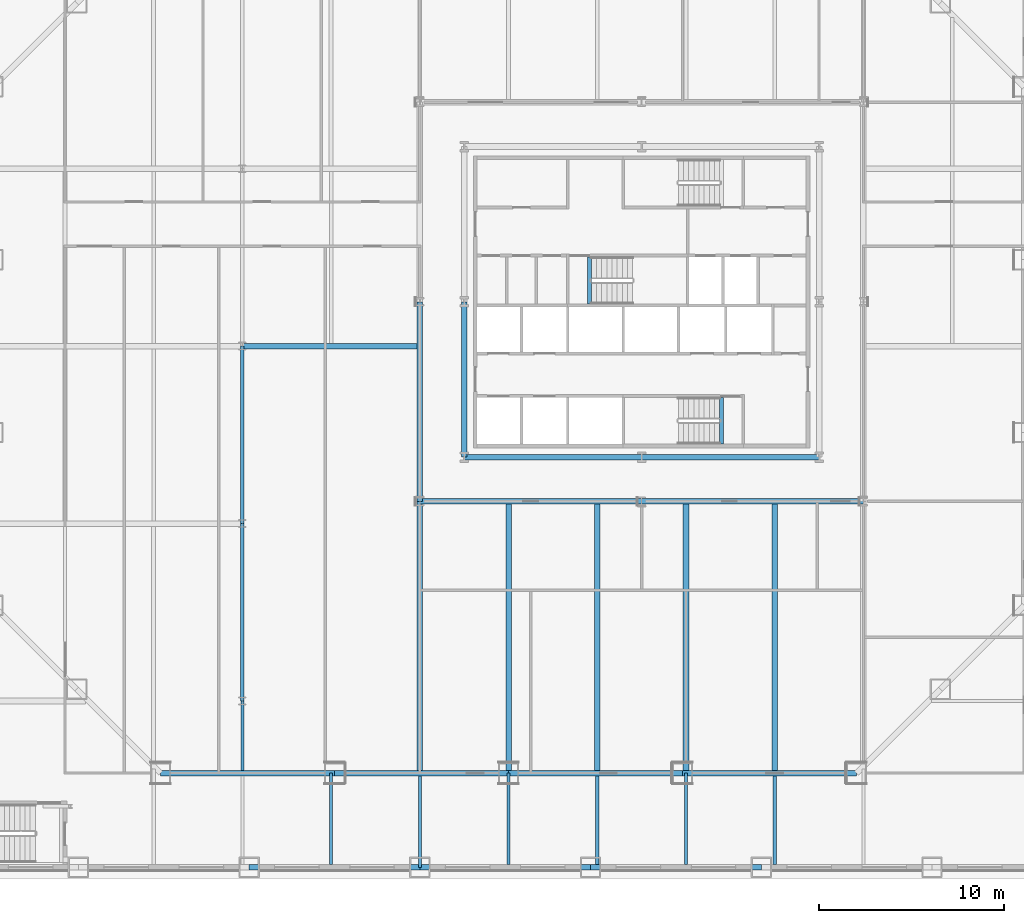
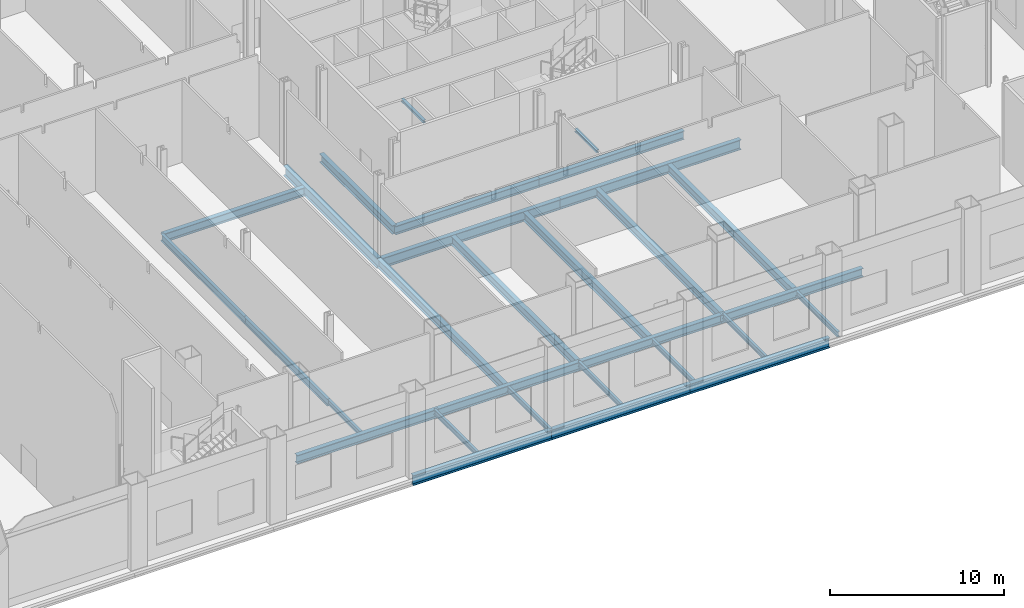
# One storey, part 10 of 31: 30 beams.
"""IFC4 building model written with IfcOpenShell, lengths in metres."""

from ifc_helpers import new_model, si_unit, direction, frame, origin, origin_2d, place, context, subcontext, project, spatial, i_section, extrude, material, material_profile, profile_set, type_object, element, save


model = new_model("IFC4")

# Units and contexts
model_context = context("Model", 3, precision=1e-05, world=origin(), true_north=direction((0.0, 1.0)))
body_context = subcontext(model_context, "Body", "Model", "MODEL_VIEW")
ifc_project = project(units=[si_unit("LENGTHUNIT", "METRE"), si_unit("AREAUNIT", "SQUARE_METRE"), si_unit("VOLUMEUNIT", "CUBIC_METRE"), si_unit("PLANEANGLEUNIT", "RADIAN"), si_unit("MASSUNIT", "GRAM", prefix="KILO")], contexts=[model_context])

# Site, building, storey
site_placement = place(None, origin())
site = spatial("IfcSite", under=ifc_project, at=site_placement, CompositionType="ELEMENT")
building_placement = place(site_placement, origin())
building = spatial("IfcBuilding", under=site, at=building_placement, Name="Cairn Pilgrim Tower", CompositionType="ELEMENT")
storey_placement = place(building_placement, frame((0.0, 0.0, 9.0)))
storey = spatial("IfcBuildingStorey", under=building, at=storey_placement, Name="L01", CompositionType="ELEMENT", Elevation=9.0)

# Beams
ifc_material = material(Name="Structural steel S355J2", Category="steel")
ifc_material_profile_1 = material_profile(ifc_material, i_section(OverallWidth=0.300048828125, OverallDepth=0.60009765625, WebThickness=0.015380859375, FlangeThickness=0.030029296875, FilletRadius=0.027099609375, at=origin_2d()), Name="HEB 600")
ifc_profile_set_1 = profile_set([ifc_material_profile_1], Name="Structural steel S355J2")
beam_type_1 = type_object("IfcBeamType", Name="PODIUM BEAM HE 600 B", PredefinedType="BEAM", material=ifc_profile_set_1)
for number, where, z_axis, x_axis, name in (
    (1, (-4.800048828125, -22.947998046875, -0.5), (0.0, 1.0, 0.0), (-1.0, 0.0, 0.0), "PODIUM BEAM PB-HE600B"),
    (2, (0.0, -23.10009765625, -0.5), (0.0, 1.0, 0.0), (-1.0, 0.0, 0.0), "PODIUM BEAM PB-HE600B"),
):
    element("IfcBeam", number, at=place(storey_placement, frame(where, z_axis=z_axis, x_axis=x_axis)), inside=storey, type_object=beam_type_1, Name=name, PredefinedType="BEAM", context=body_context, shape_type="SweptSolid", body=[
        extrude(i_section(OverallWidth=0.300048828125, OverallDepth=0.60009765625, WebThickness=0.015380859375, FlangeThickness=0.030029296875, FilletRadius=0.027099609375, at=origin_2d()), origin(), (0.0, 0.0, 1.0), 14.548095703125),
    ])
beam_1_placement = place(storey_placement, frame((4.800048828125, -22.947998046875, -0.5), z_axis=(0.0, 1.0, 0.0), x_axis=(-1.0, 0.0, 0.0)))
element("IfcBeam", 3, at=beam_1_placement, inside=storey, type_object=beam_type_1, Name="PODIUM BEAM PB-HE600B", PredefinedType="BEAM", context=body_context, shape_type="SweptSolid", body=[
    extrude(i_section(OverallWidth=0.300048828125, OverallDepth=0.60009765625, WebThickness=0.015380859375, FlangeThickness=0.030029296875, FilletRadius=0.027099609375, at=origin_2d()), origin(), (0.0, 0.0, 1.0), 14.39599609375),
])
beam_2_placement = place(storey_placement, frame((9.60009765625, -23.10009765625, -0.5), z_axis=(0.0, 1.0, 0.0), x_axis=(-1.0, 0.0, 0.0)))
element("IfcBeam", 4, at=beam_2_placement, inside=storey, type_object=beam_type_1, Name="PODIUM BEAM PB-HE600B", PredefinedType="BEAM", context=body_context, shape_type="SweptSolid", body=[
    extrude(i_section(OverallWidth=0.300048828125, OverallDepth=0.60009765625, WebThickness=0.015380859375, FlangeThickness=0.030029296875, FilletRadius=0.027099609375, at=origin_2d()), origin(), (0.0, 0.0, 1.0), 14.548095703125),
])
beam_3_placement = place(storey_placement, frame((14.39990234375, -22.947998046875, -0.5), z_axis=(0.0, 1.0, 0.0), x_axis=(-1.0, 0.0, 0.0)))
element("IfcBeam", 5, at=beam_3_placement, inside=storey, type_object=beam_type_1, Name="PODIUM BEAM PB-HE600B", PredefinedType="BEAM", context=body_context, shape_type="SweptSolid", body=[
    extrude(i_section(OverallWidth=0.300048828125, OverallDepth=0.60009765625, WebThickness=0.015380859375, FlangeThickness=0.030029296875, FilletRadius=0.027099609375, at=origin_2d()), origin(), (0.0, 0.0, 1.0), 14.39599609375),
])
ifc_material_profile_2 = material_profile(ifc_material, i_section(OverallWidth=0.169921875, OverallDepth=0.360107421875, WebThickness=0.008056640625, FlangeThickness=0.0126953125, FilletRadius=0.01806640625, at=origin_2d()), Name="IPE 360")
ifc_profile_set_2 = profile_set([ifc_material_profile_2], Name="Structural steel S355J2")
beam_type_2 = type_object("IfcBeamType", Name="PODIUM BEAM IPE 360", PredefinedType="BEAM", material=ifc_profile_set_2)
beam_4_placement = place(storey_placement, frame((-14.39990234375, -22.947998046875, -0.3798828125), z_axis=(0.0, 1.0, 0.0), x_axis=(-1.0, 0.0, 0.0)))
element("IfcBeam", 6, at=beam_4_placement, inside=storey, type_object=beam_type_2, Name="PODIUM BEAM PB-IPE360", PredefinedType="BEAM", context=body_context, shape_type="SweptSolid", body=[
    extrude(i_section(OverallWidth=0.169921875, OverallDepth=0.360107421875, WebThickness=0.008056640625, FlangeThickness=0.0126953125, FilletRadius=0.01806640625, at=origin_2d()), origin(), (0.0, 0.0, 1.0), 3.748046875),
])
for number, where, z_axis, x_axis, name in (
    (7, (-9.60009765625, -28.048095703125, -0.3798828125), (0.0, 1.0, 0.0), (-1.0, 0.0, 0.0), "PODIUM BEAM PB-IPE360"),
    (8, (-4.800048828125, -28.199951171875, -0.3798828125), (0.0, 1.0, 0.0), (-1.0, 0.0, 0.0), "PODIUM BEAM PB-IPE360"),
    (9, (0.0, -28.048095703125, -0.3798828125), (0.0, 1.0, 0.0), (-1.0, 0.0, 0.0), "PODIUM BEAM PB-IPE360"),
):
    element("IfcBeam", number, at=place(storey_placement, frame(where, z_axis=z_axis, x_axis=x_axis)), inside=storey, type_object=beam_type_2, Name=name, PredefinedType="BEAM", context=body_context, shape_type="SweptSolid", body=[
        extrude(i_section(OverallWidth=0.169921875, OverallDepth=0.360107421875, WebThickness=0.008056640625, FlangeThickness=0.0126953125, FilletRadius=0.01806640625, at=origin_2d()), origin(), (0.0, 0.0, 1.0), 4.947998046875),
    ])
beam_5_placement = place(storey_placement, frame((4.800048828125, -28.048095703125, -0.3798828125), z_axis=(0.0, 1.0, 0.0), x_axis=(-1.0, 0.0, 0.0)))
element("IfcBeam", 10, at=beam_5_placement, inside=storey, type_object=beam_type_2, Name="PODIUM BEAM PB-IPE360", PredefinedType="BEAM", context=body_context, shape_type="SweptSolid", body=[
    extrude(i_section(OverallWidth=0.169921875, OverallDepth=0.360107421875, WebThickness=0.008056640625, FlangeThickness=0.0126953125, FilletRadius=0.01806640625, at=origin_2d()), origin(), (0.0, 0.0, 1.0), 4.796142578125),
])
beam_6_placement = place(storey_placement, frame((9.60009765625, -28.048095703125, -0.3798828125), z_axis=(0.0, 1.0, 0.0), x_axis=(-1.0, 0.0, 0.0)))
element("IfcBeam", 11, at=beam_6_placement, inside=storey, type_object=beam_type_2, Name="PODIUM BEAM PB-IPE360", PredefinedType="BEAM", context=body_context, shape_type="SweptSolid", body=[
    extrude(i_section(OverallWidth=0.169921875, OverallDepth=0.360107421875, WebThickness=0.008056640625, FlangeThickness=0.0126953125, FilletRadius=0.01806640625, at=origin_2d()), origin(), (0.0, 0.0, 1.0), 4.947998046875),
])
beam_7_placement = place(storey_placement, frame((14.39990234375, -28.048095703125, -0.3798828125), z_axis=(0.0, 1.0, 0.0), x_axis=(-1.0, 0.0, 0.0)))
element("IfcBeam", 12, at=beam_7_placement, inside=storey, type_object=beam_type_2, Name="PODIUM BEAM PB-IPE360", PredefinedType="BEAM", context=body_context, shape_type="SweptSolid", body=[
    extrude(i_section(OverallWidth=0.169921875, OverallDepth=0.360107421875, WebThickness=0.008056640625, FlangeThickness=0.0126953125, FilletRadius=0.01806640625, at=origin_2d()), origin(), (0.0, 0.0, 1.0), 4.796142578125),
])
ifc_material_profile_3 = material_profile(ifc_material, i_section(OverallWidth=0.199951171875, OverallDepth=0.5, WebThickness=0.01025390625, FlangeThickness=0.01611328125, FilletRadius=0.02099609375, at=origin_2d()), Name="IPE 500")
ifc_profile_set_3 = profile_set([ifc_material_profile_3], Name="Structural steel S355J2")
beam_type_3 = type_object("IfcBeamType", Name="PODIUM BEAM IPE 500", PredefinedType="BEAM", material=ifc_profile_set_3)
beam_8_placement = place(storey_placement, frame((-14.39990234375, -19.199951171875, -0.449951171875), z_axis=(0.0, 1.0, 0.0), x_axis=(-1.0, 0.0, 0.0)))
element("IfcBeam", 13, at=beam_8_placement, inside=storey, type_object=beam_type_3, Name="PODIUM BEAM PB-IPE500", PredefinedType="BEAM", context=body_context, shape_type="SweptSolid", body=[
    extrude(i_section(OverallWidth=0.199951171875, OverallDepth=0.5, WebThickness=0.01025390625, FlangeThickness=0.01611328125, FilletRadius=0.02099609375, at=origin_2d()), origin(), (0.0, 0.0, 1.0), 9.599853515625),
])
beam_9_placement = place(storey_placement, frame((-14.39990234375, -9.60009765625, -0.449951171875), z_axis=(0.0, 1.0, 0.0), x_axis=(-1.0, 0.0, 0.0)))
element("IfcBeam", 14, at=beam_9_placement, inside=storey, type_object=beam_type_3, Name="PODIUM BEAM PB-IPE500", PredefinedType="BEAM", context=body_context, shape_type="SweptSolid", body=[
    extrude(i_section(OverallWidth=0.199951171875, OverallDepth=0.5, WebThickness=0.01025390625, FlangeThickness=0.01611328125, FilletRadius=0.02099609375, at=origin_2d()), origin(), (0.0, 0.0, 1.0), 9.60009765625),
])
ifc_material_profile_4 = material_profile(ifc_material, i_section(OverallWidth=0.300048828125, OverallDepth=0.699951171875, WebThickness=0.01708984375, FlangeThickness=0.031982421875, FilletRadius=0.027099609375, at=origin_2d()), Name="HEB 700")
ifc_profile_set_4 = profile_set([ifc_material_profile_4], Name="Structural steel S355J2")
beam_type_4 = type_object("IfcBeamType", Name="PODIUM EDGE GIRDER HE 700 B", PredefinedType="BEAM", material=ifc_profile_set_4)
beam_10_placement = place(storey_placement, frame((-14.037841796875, -28.199951171875, -0.550048828125), z_axis=(1.0, 0.0, 0.0), x_axis=(0.0, 1.0, 0.0)))
element("IfcBeam", 15, at=beam_10_placement, inside=storey, type_object=beam_type_4, Name="PODIUM EDGE GIRDER PE-HE700B", PredefinedType="BEAM", context=body_context, shape_type="SweptSolid", body=[
    extrude(i_section(OverallWidth=0.300048828125, OverallDepth=0.699951171875, WebThickness=0.01708984375, FlangeThickness=0.031982421875, FilletRadius=0.027099609375, at=origin_2d()), origin(), (0.0, 0.0, 1.0), 9.23779296875),
])
beam_11_placement = place(storey_placement, frame((-4.800048828125, -28.199951171875, -0.550048828125), z_axis=(1.0, 0.0, 0.0), x_axis=(0.0, 1.0, 0.0)))
element("IfcBeam", 16, at=beam_11_placement, inside=storey, type_object=beam_type_4, Name="PODIUM EDGE GIRDER PE-HE700B", PredefinedType="BEAM", context=body_context, shape_type="SweptSolid", body=[
    extrude(i_section(OverallWidth=0.300048828125, OverallDepth=0.699951171875, WebThickness=0.01708984375, FlangeThickness=0.031982421875, FilletRadius=0.027099609375, at=origin_2d()), origin(), (0.0, 0.0, 1.0), 9.238037109375),
])
beam_12_placement = place(storey_placement, frame((4.43798828125, -28.199951171875, -0.550048828125), z_axis=(1.0, 0.0, 0.0), x_axis=(0.0, 1.0, 0.0)))
element("IfcBeam", 17, at=beam_12_placement, inside=storey, type_object=beam_type_4, Name="PODIUM EDGE GIRDER PE-HE700B", PredefinedType="BEAM", context=body_context, shape_type="SweptSolid", body=[
    extrude(i_section(OverallWidth=0.300048828125, OverallDepth=0.699951171875, WebThickness=0.01708984375, FlangeThickness=0.031982421875, FilletRadius=0.027099609375, at=origin_2d()), origin(), (0.0, 0.0, 1.0), 9.23779296875),
])
ifc_material_profile_5 = material_profile(ifc_material, i_section(OverallWidth=0.300048828125, OverallDepth=0.60009765625, WebThickness=0.015380859375, FlangeThickness=0.030029296875, FilletRadius=0.027099609375, at=origin_2d()), Name="HEB 600")
ifc_profile_set_5 = profile_set([ifc_material_profile_5], Name="Structural steel S355J2")
beam_type_5 = type_object("IfcBeamType", Name="PODIUM GIRDER HE 600 B", PredefinedType="BEAM", material=ifc_profile_set_5)
for number, where, z_axis, x_axis, name in (
    (18, (-18.8271484375, -23.10009765625, -0.5), (1.0, 0.0, 0.0), (0.0, 1.0, 0.0), "PODIUM GIRDER PG-HE600B"),
    (19, (-9.41357421875, -23.10009765625, -0.5), (1.0, 0.0, 0.0), (0.0, 1.0, 0.0), "PODIUM GIRDER PG-HE600B"),
    (20, (0.0, -23.10009765625, -0.5), (1.0, 0.0, 0.0), (0.0, 1.0, 0.0), "PODIUM GIRDER PG-HE600B"),
    (21, (9.41357421875, -23.10009765625, -0.5), (1.0, 0.0, 0.0), (0.0, 1.0, 0.0), "PODIUM GIRDER PG-HE600B"),
):
    element("IfcBeam", number, at=place(storey_placement, frame(where, z_axis=z_axis, x_axis=x_axis)), inside=storey, type_object=beam_type_5, Name=name, PredefinedType="BEAM", context=body_context, shape_type="SweptSolid", body=[
        extrude(i_section(OverallWidth=0.300048828125, OverallDepth=0.60009765625, WebThickness=0.015380859375, FlangeThickness=0.030029296875, FilletRadius=0.027099609375, at=origin_2d()), origin(), (0.0, 0.0, 1.0), 9.41357421875),
    ])
beam_13_placement = place(storey_placement, frame((-2.39990234375, 2.39990234375, -0.5), z_axis=(0.0, -1.0, 0.0), x_axis=(1.0, 0.0, 0.0)))
element("IfcBeam", 22, at=beam_13_placement, inside=storey, type_object=beam_type_5, Name="PODIUM GIRDER PG-HE600B", PredefinedType="BEAM", context=body_context, shape_type="SweptSolid", body=[
    extrude(i_section(OverallWidth=0.300048828125, OverallDepth=0.60009765625, WebThickness=0.015380859375, FlangeThickness=0.030029296875, FilletRadius=0.027099609375, at=origin_2d()), origin(), (0.0, 0.0, 1.0), 8.39990234375),
])
beam_14_placement = place(storey_placement, frame((-2.39990234375, -6.0, -0.5), z_axis=(1.0, 0.0, 0.0), x_axis=(0.0, 1.0, 0.0)))
element("IfcBeam", 23, at=beam_14_placement, inside=storey, type_object=beam_type_5, Name="PODIUM GIRDER PG-HE600B", PredefinedType="BEAM", context=body_context, shape_type="SweptSolid", body=[
    extrude(i_section(OverallWidth=0.300048828125, OverallDepth=0.60009765625, WebThickness=0.015380859375, FlangeThickness=0.030029296875, FilletRadius=0.027099609375, at=origin_2d()), origin(), (0.0, 0.0, 1.0), 9.599853515625),
])
beam_15_placement = place(storey_placement, frame((7.199951171875, -6.0, -0.5), z_axis=(1.0, 0.0, 0.0), x_axis=(0.0, 1.0, 0.0)))
element("IfcBeam", 24, at=beam_15_placement, inside=storey, type_object=beam_type_5, Name="PODIUM GIRDER PG-HE600B", PredefinedType="BEAM", context=body_context, shape_type="SweptSolid", body=[
    extrude(i_section(OverallWidth=0.300048828125, OverallDepth=0.60009765625, WebThickness=0.015380859375, FlangeThickness=0.030029296875, FilletRadius=0.027099609375, at=origin_2d()), origin(), (0.0, 0.0, 1.0), 9.60009765625),
])
beam_16_placement = place(storey_placement, frame((-14.39990234375, 0.0, -0.5), z_axis=(1.0, 0.0, 0.0), x_axis=(0.0, 1.0, 0.0)))
element("IfcBeam", 25, at=beam_16_placement, inside=storey, type_object=beam_type_5, Name="PODIUM GIRDER PG-HE600B", PredefinedType="BEAM", context=body_context, shape_type="SweptSolid", body=[
    extrude(i_section(OverallWidth=0.300048828125, OverallDepth=0.60009765625, WebThickness=0.015380859375, FlangeThickness=0.030029296875, FilletRadius=0.027099609375, at=origin_2d()), origin(), (0.0, 0.0, 1.0), 9.447998046875),
])
ifc_material_profile_6 = material_profile(ifc_material, i_section(OverallWidth=0.300048828125, OverallDepth=0.699951171875, WebThickness=0.01708984375, FlangeThickness=0.031982421875, FilletRadius=0.027099609375, at=origin_2d()), Name="HEB 700")
ifc_profile_set_6 = profile_set([ifc_material_profile_6], Name="Structural steel S355J2")
beam_type_6 = type_object("IfcBeamType", Name="PODIUM GIRDER HE 700 B", PredefinedType="BEAM", material=ifc_profile_set_6)
beam_17_placement = place(storey_placement, frame((-4.800048828125, 2.39990234375, -0.550048828125), z_axis=(0.0, -1.0, 0.0), x_axis=(1.0, 0.0, 0.0)))
element("IfcBeam", 26, at=beam_17_placement, inside=storey, type_object=beam_type_6, Name="PODIUM GIRDER PG-HE700B", PredefinedType="BEAM", context=body_context, shape_type="SweptSolid", body=[
    extrude(i_section(OverallWidth=0.300048828125, OverallDepth=0.699951171875, WebThickness=0.01708984375, FlangeThickness=0.031982421875, FilletRadius=0.027099609375, at=origin_2d()), origin(), (0.0, 0.0, 1.0), 10.7998046875),
])
for number, where, z_axis, x_axis, name in (
    (27, (-4.800048828125, -8.39990234375, -0.550048828125), (1.0, 0.0, 0.0), (0.0, 1.0, 0.0), "PODIUM GIRDER PG-HE700B"),
    (28, (7.199951171875, -8.39990234375, -0.550048828125), (1.0, 0.0, 0.0), (0.0, 1.0, 0.0), "PODIUM GIRDER PG-HE700B"),
):
    element("IfcBeam", number, at=place(storey_placement, frame(where, z_axis=z_axis, x_axis=x_axis)), inside=storey, type_object=beam_type_6, Name=name, PredefinedType="BEAM", context=body_context, shape_type="SweptSolid", body=[
        extrude(i_section(OverallWidth=0.300048828125, OverallDepth=0.699951171875, WebThickness=0.01708984375, FlangeThickness=0.031982421875, FilletRadius=0.027099609375, at=origin_2d()), origin(), (0.0, 0.0, 1.0), 12.0),
    ])
ifc_material_profile_7 = material_profile(ifc_material, i_section(OverallWidth=0.199951171875, OverallDepth=0.199951171875, WebThickness=0.009033203125, FlangeThickness=0.014892578125, FilletRadius=0.01806640625, at=origin_2d()), Name="HE 200 B")
ifc_profile_set_7 = profile_set([ifc_material_profile_7], Name="Structural steel S355J2")
beam_type_7 = type_object("IfcBeamType", Name="STAIR LANDING BEAM HE 200 B", PredefinedType="BEAM", material=ifc_profile_set_7)
beam_18_placement = place(storey_placement, frame((11.5244140625, -2.77490234375, -0.300048828125), z_axis=(0.0, -1.0, 0.0), x_axis=(1.0, 0.0, 0.0)))
element("IfcBeam", 29, at=beam_18_placement, inside=storey, type_object=beam_type_7, Name="STAIR LANDING BEAM LD-HE200B", PredefinedType="BEAM", context=body_context, shape_type="SweptSolid", body=[
    extrude(i_section(OverallWidth=0.199951171875, OverallDepth=0.199951171875, WebThickness=0.009033203125, FlangeThickness=0.014892578125, FilletRadius=0.01806640625, at=origin_2d()), origin(), (0.0, 0.0, 1.0), 2.525146484375),
])
beam_19_placement = place(storey_placement, frame((4.37548828125, 2.27490234375, -0.300048828125), z_axis=(0.0, 1.0, 0.0), x_axis=(-1.0, 0.0, 0.0)))
element("IfcBeam", 30, at=beam_19_placement, inside=storey, type_object=beam_type_7, Name="STAIR LANDING BEAM LD-HE200B", PredefinedType="BEAM", context=body_context, shape_type="SweptSolid", body=[
    extrude(i_section(OverallWidth=0.199951171875, OverallDepth=0.199951171875, WebThickness=0.009033203125, FlangeThickness=0.014892578125, FilletRadius=0.01806640625, at=origin_2d()), origin(), (0.0, 0.0, 1.0), 2.550048828125),
])

save(model, "model.ifc")
